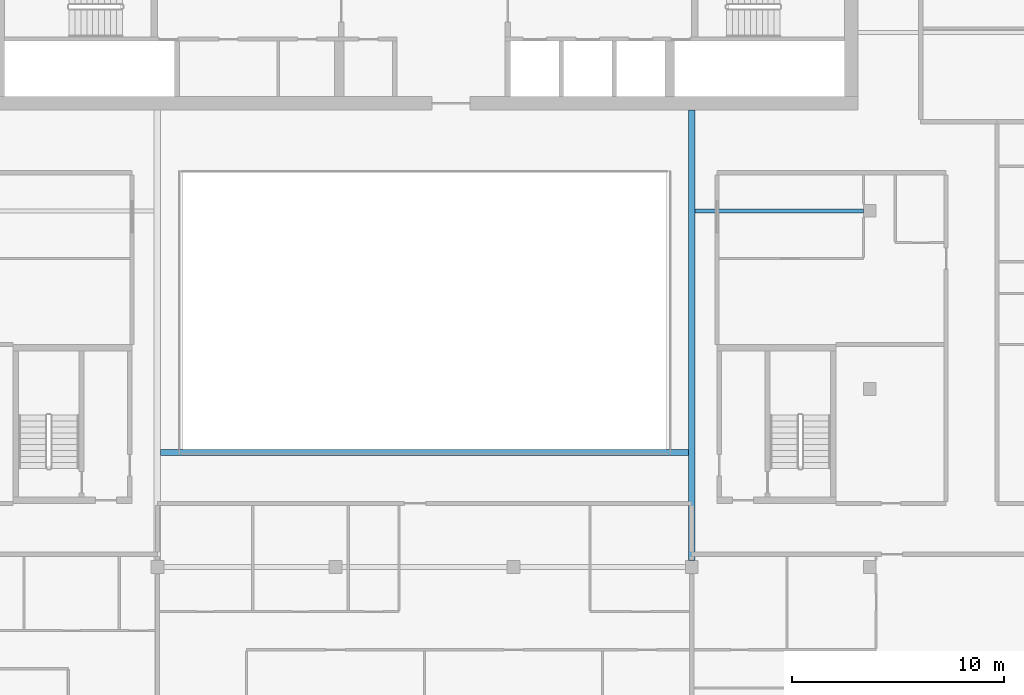
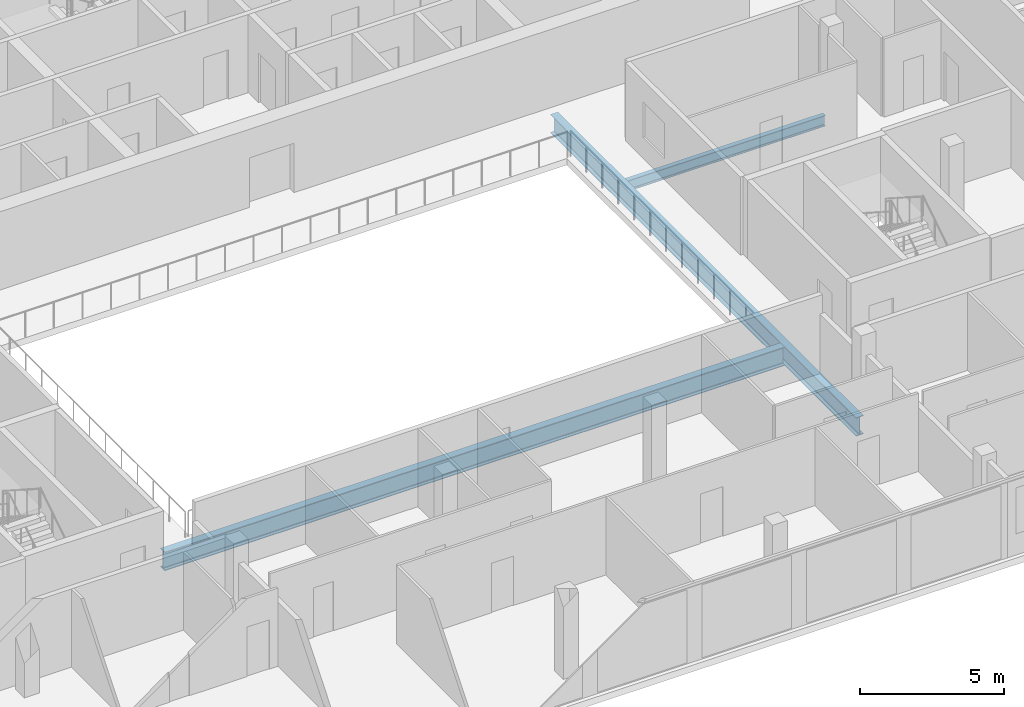
# One storey, part 7 of 30: 3 beams.
"""IFC4 building model written with IfcOpenShell, lengths in metres."""

from ifc_helpers import new_model, si_unit, direction, frame, origin, origin_2d, place, context, subcontext, project, spatial, i_section, extrude, material, material_profile, profile_set, type_object, element, save


model = new_model("IFC4")

# Units and contexts
model_context = context("Model", 3, precision=1e-05, world=origin(), true_north=direction((0.0, 1.0)))
body_context = subcontext(model_context, "Body", "Model", "MODEL_VIEW")
ifc_project = project(units=[si_unit("LENGTHUNIT", "METRE"), si_unit("AREAUNIT", "SQUARE_METRE"), si_unit("VOLUMEUNIT", "CUBIC_METRE"), si_unit("PLANEANGLEUNIT", "RADIAN"), si_unit("MASSUNIT", "GRAM", prefix="KILO")], contexts=[model_context])

# Site, building, storey
site_placement = place(None, origin())
site = spatial("IfcSite", under=ifc_project, at=site_placement, CompositionType="ELEMENT")
building_placement = place(site_placement, origin())
building = spatial("IfcBuilding", under=site, at=building_placement, Name="Saffron Gate Tower", CompositionType="ELEMENT")
storey_placement = place(building_placement, frame((0.0, 0.0, 223.5)))
storey = spatial("IfcBuildingStorey", under=building, at=storey_placement, Name="L54", CompositionType="ELEMENT", Elevation=223.5)

# Beams
ifc_material = material(Name="Structural steel S355", Category="steel")
ifc_material_profile_1 = material_profile(ifc_material, i_section(OverallWidth=0.300048828125, OverallDepth=0.7900390625, WebThickness=0.014892578125, FlangeThickness=0.028076171875, FilletRadius=0.030029296875, at=origin_2d()))
ifc_profile_set_1 = profile_set([ifc_material_profile_1], Name="Structural steel S355")
beam_type_1 = type_object("IfcBeamType", Name="B18 HEA 800", PredefinedType="BEAM", material=ifc_profile_set_1)
beam_1_placement = place(storey_placement, frame((100.199951171875, 40.5, -0.675048828125), z_axis=(0.0, 1.0, 0.0), x_axis=(-1.0, 0.0, 0.0)))
element("IfcBeam", 1, at=beam_1_placement, inside=storey, type_object=beam_type_1, Name="B18 ATRIUM GIRDER", PredefinedType="BEAM", context=body_context, shape_type="SweptSolid", body=[
    extrude(i_section(OverallWidth=0.300048828125, OverallDepth=0.7900390625, WebThickness=0.014892578125, FlangeThickness=0.028076171875, FilletRadius=0.030029296875, at=origin_2d()), origin(), (0.0, 0.0, 1.0), 21.25),
])
beam_2_placement = place(storey_placement, frame((75.14990234375, 45.60009765625, -0.675048828125), z_axis=(1.0, 0.0, 0.0), x_axis=(0.0, 1.0, 0.0)))
element("IfcBeam", 2, at=beam_2_placement, inside=storey, type_object=beam_type_1, Name="B18 ATRIUM GIRDER", PredefinedType="BEAM", context=body_context, shape_type="SweptSolid", body=[
    extrude(i_section(OverallWidth=0.300048828125, OverallDepth=0.7900390625, WebThickness=0.014892578125, FlangeThickness=0.028076171875, FilletRadius=0.030029296875, at=origin_2d()), origin(), (0.0, 0.0, 1.0), 24.900146484375),
])
ifc_material_profile_2 = material_profile(ifc_material, i_section(OverallWidth=0.18994140625, OverallDepth=0.449951171875, WebThickness=0.009521484375, FlangeThickness=0.0146484375, FilletRadius=0.02099609375, at=origin_2d()))
ifc_profile_set_2 = profile_set([ifc_material_profile_2], Name="Structural steel S355")
beam_type_2 = type_object("IfcBeamType", Name="B6 IPE 450", PredefinedType="BEAM", material=ifc_profile_set_2)
beam_3_placement = place(storey_placement, frame((108.300048828125, 57.0, -0.5048828125), z_axis=(-1.0, 0.0, 0.0), x_axis=(0.0, -1.0, 0.0)))
element("IfcBeam", 3, at=beam_3_placement, inside=storey, type_object=beam_type_2, Name="B6 CORE TIE BEAM", PredefinedType="BEAM", context=body_context, shape_type="SweptSolid", body=[
    extrude(i_section(OverallWidth=0.18994140625, OverallDepth=0.449951171875, WebThickness=0.009521484375, FlangeThickness=0.0146484375, FilletRadius=0.02099609375, at=origin_2d()), origin(), (0.0, 0.0, 1.0), 7.949951171875),
])

save(model, "model.ifc")
